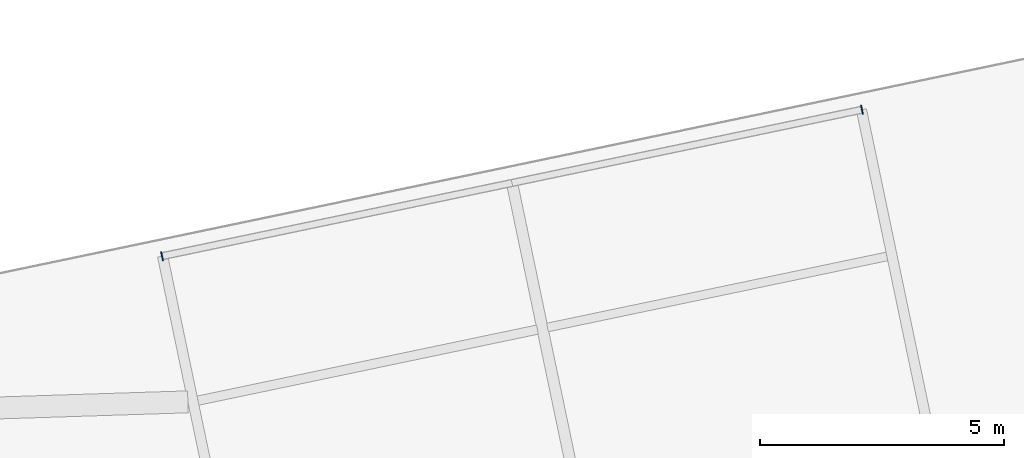
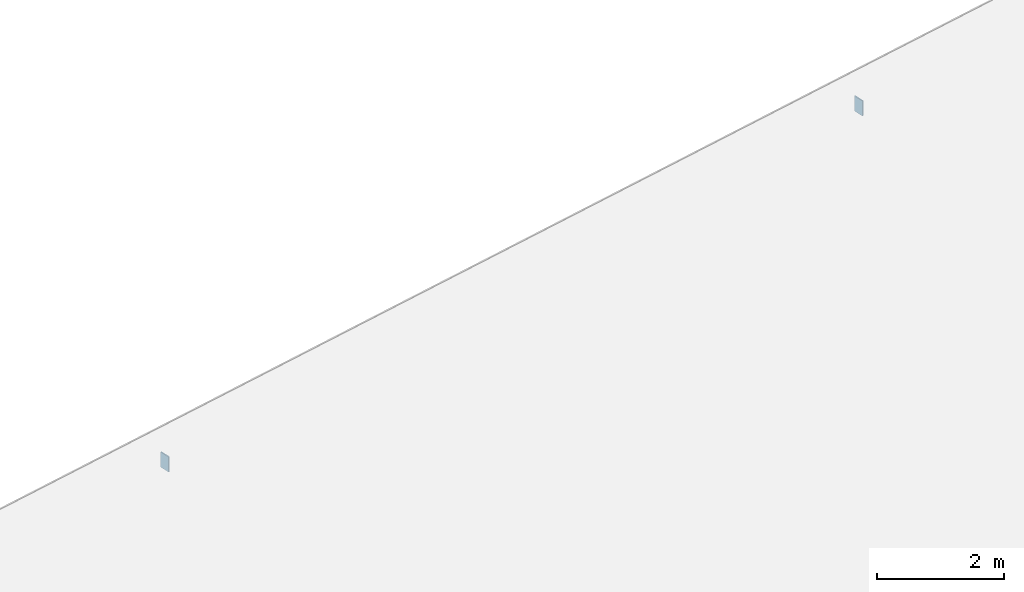
# One storey, part 26 of 51: 2 plates.
"""IFC4 building model written with IfcOpenShell, lengths in metres."""

from ifc_helpers import new_model, si_unit, direction, frame, origin, origin_2d, place, context, subcontext, project, spatial, rectangle, extrude, material, layer, layer_set, type_object, element, save


model = new_model("IFC4")

# Units and contexts
model_context = context("Model", 3, precision=1e-05, world=origin(), true_north=direction((0.0, 1.0)))
body_context = subcontext(model_context, "Body", "Model", "MODEL_VIEW")
ifc_project = project(units=[si_unit("LENGTHUNIT", "METRE"), si_unit("AREAUNIT", "SQUARE_METRE"), si_unit("VOLUMEUNIT", "CUBIC_METRE"), si_unit("PLANEANGLEUNIT", "RADIAN"), si_unit("MASSUNIT", "GRAM", prefix="KILO")], contexts=[model_context])

# Site, building, storey
site_placement = place(None, origin())
site = spatial("IfcSite", under=ifc_project, at=site_placement, CompositionType="ELEMENT")
building_placement = place(site_placement, origin())
building = spatial("IfcBuilding", under=site, at=building_placement, Name="Wrenclough Park School", CompositionType="ELEMENT")
storey_placement = place(building_placement, frame((0.0, 0.0, 16.800048828125)))
storey = spatial("IfcBuildingStorey", under=building, at=storey_placement, Name="L04", CompositionType="ELEMENT", Elevation=16.800048828125)

# Plates
ifc_material = material(Name="Structural steel S355", Category="steel")
ifc_layer = layer(ifc_material, 0.2900390625)
ifc_layer_set = layer_set([ifc_layer], Name="Structural steel S355")
plate_type = type_object("IfcPlateType", Name="STR-PL-EP250", PredefinedType="SHEET", material=ifc_layer_set)
for number, where, z_axis, x_axis, name in (
    (1, (103.0244140625, 119.99609375, -0.5), (0.0, 0.0, 1.0), (0.978795946539, 0.204837728554, 0.0), "W45 eave fascia L1 start sealing end-cap plate"),
    (2, (117.37939453125, 123.00048828125, -0.5), (0.0, 0.0, 1.0), (0.978795946539, 0.204837728554, 0.0), "W45 eave fascia L2 end sealing end-cap plate"),
):
    element("IfcPlate", number, at=place(storey_placement, frame(where, z_axis=z_axis, x_axis=x_axis)), inside=storey, type_object=plate_type, Name=name, PredefinedType="SHEET", context=body_context, shape_type="SweptSolid", body=[
        extrude(rectangle(XDim=0.02197265625, YDim=0.18994140625, at=origin_2d()), origin(), (0.0, 0.0, 1.0), 0.2900390625),
    ])

save(model, "model.ifc")
